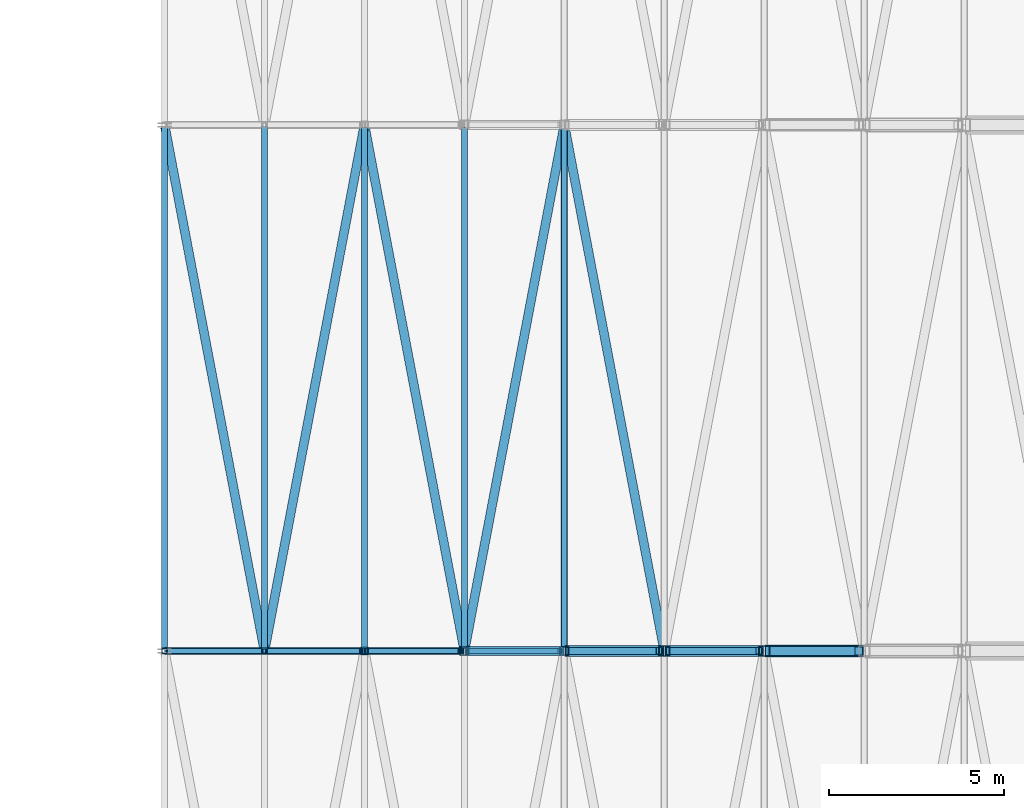
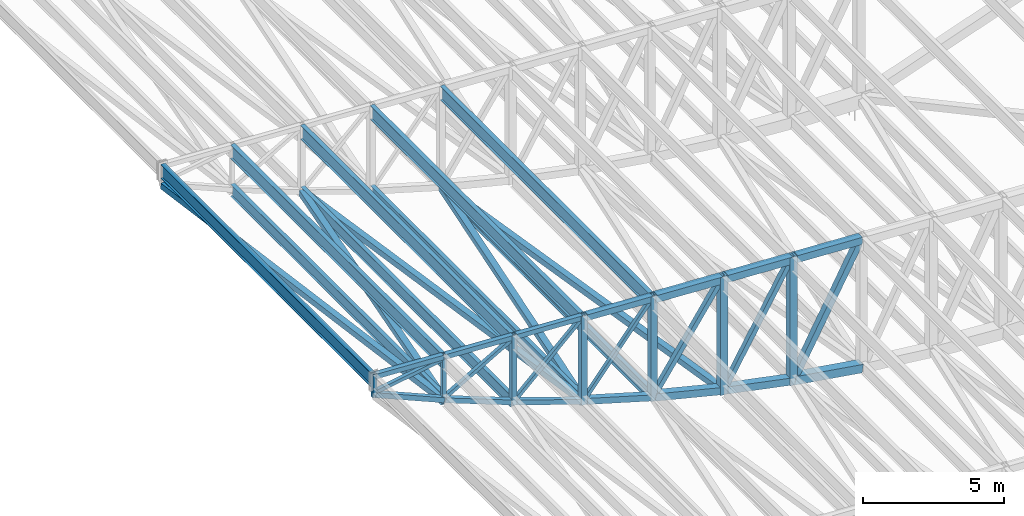
# One storey, part 55 of 278: 21 beams, 21 members.
"""IFC4 building model written with IfcOpenShell, lengths in metres."""

from ifc_helpers import new_model, si_unit, direction, frame, origin, origin_2d, place, context, subcontext, project, spatial, hollow_rectangle, i_section, extrude, material, material_profile, profile_set, type_object, element, save


model = new_model("IFC4")

# Units and contexts
model_context = context("Model", 3, precision=1e-05, world=origin(), true_north=direction((0.0, 1.0)))
body_context = subcontext(model_context, "Body", "Model", "MODEL_VIEW")
ifc_project = project(units=[si_unit("LENGTHUNIT", "METRE"), si_unit("AREAUNIT", "SQUARE_METRE"), si_unit("VOLUMEUNIT", "CUBIC_METRE"), si_unit("PLANEANGLEUNIT", "RADIAN"), si_unit("MASSUNIT", "GRAM", prefix="KILO")], contexts=[model_context])

# Site, building, storey
site_placement = place(None, origin())
site = spatial("IfcSite", under=ifc_project, at=site_placement, CompositionType="ELEMENT")
building_placement = place(site_placement, origin())
building = spatial("IfcBuilding", under=site, at=building_placement, Name="Ogive Plaza Stadium", CompositionType="ELEMENT")
storey_placement = place(building_placement, frame((0.0, 0.0, 29.0)))
storey = spatial("IfcBuildingStorey", under=building, at=storey_placement, Name="Roof", CompositionType="ELEMENT", Elevation=29.0)

# Members
ifc_material_1 = material(Name="Steel ASTM A500 Grade C", Category="steel")
ifc_material_profile_1 = material_profile(ifc_material_1, hollow_rectangle(XDim=0.25390625, YDim=0.25390625, WallThickness=0.0087890625, at=origin_2d()), Name="HSS10X10X3/8")
ifc_profile_set_1 = profile_set([ifc_material_profile_1], Name="Steel ASTM A500 Grade C")
member_type_1 = type_object("IfcMemberType", Name="Roof plan brace HSS10X10X3/8", PredefinedType="BRACE", material=ifc_profile_set_1)
member_1_placement = place(storey_placement, frame((45.513427734375, -7.5703125, 6.520751953125), z_axis=(0.1860644689, -0.979300227871, -0.079693645318), x_axis=(0.982424925297, 0.186658153196, 0.0)))
element("IfcMember", 1, at=member_1_placement, inside=storey, type_object=member_type_1, Name="ROOF BRACE B05 1", PredefinedType="BRACE", context=body_context, shape_type="SweptSolid", body=[
    extrude(hollow_rectangle(XDim=0.25390625, YDim=0.25390625, WallThickness=0.0087890625, at=origin_2d()), origin(), (0.0, 0.0, 1.0), 15.173583984375),
])
member_2_placement = place(storey_placement, frame((48.36328125, -22.4296875, 5.30078125), z_axis=(0.18619699352, 0.979917118172, -0.071366106221), x_axis=(-0.982422109195, 0.186672974385, 0.0)))
element("IfcMember", 2, at=member_2_placement, inside=storey, type_object=member_type_1, Name="ROOF BRACE B05 2", PredefinedType="BRACE", context=body_context, shape_type="SweptSolid", body=[
    extrude(hollow_rectangle(XDim=0.25390625, YDim=0.25390625, WallThickness=0.0087890625, at=origin_2d()), origin(), (0.0, 0.0, 1.0), 15.1376953125),
])
member_3_placement = place(storey_placement, frame((51.21826171875, -7.595947265625, 4.20751953125), z_axis=(0.186305134019, -0.980575459807, -0.061336487198), x_axis=(0.982425223956, 0.186656581279, 0.0)))
element("IfcMember", 3, at=member_3_placement, inside=storey, type_object=member_type_1, Name="ROOF BRACE B05 3", PredefinedType="BRACE", context=body_context, shape_type="SweptSolid", body=[
    extrude(hollow_rectangle(XDim=0.25390625, YDim=0.25390625, WallThickness=0.0087890625, at=origin_2d()), origin(), (0.0, 0.0, 1.0), 15.1015625),
])
member_4_placement = place(storey_placement, frame((54.068115234375, -22.404052734375, 3.27001953125), z_axis=(0.186406461707, 0.981044003163, -0.052965034622), x_axis=(-0.982422964001, 0.186668475654, 0.0)))
element("IfcMember", 4, at=member_4_placement, inside=storey, type_object=member_type_1, Name="ROOF BRACE B05 4", PredefinedType="BRACE", context=body_context, shape_type="SweptSolid", body=[
    extrude(hollow_rectangle(XDim=0.25390625, YDim=0.25390625, WallThickness=0.0087890625, at=origin_2d()), origin(), (0.0, 0.0, 1.0), 15.068359375),
])
member_5_placement = place(storey_placement, frame((56.923095703125, -7.621337890625, 2.459716796875), z_axis=(0.186461324063, -0.981373677857, -0.046237204039), x_axis=(0.982424391989, 0.186660960097, 0.0)))
element("IfcMember", 5, at=member_5_placement, inside=storey, type_object=member_type_1, Name="ROOF BRACE B05 5", PredefinedType="BRACE", context=body_context, shape_type="SweptSolid", body=[
    extrude(hollow_rectangle(XDim=0.25390625, YDim=0.25390625, WallThickness=0.0087890625, at=origin_2d()), origin(), (0.0, 0.0, 1.0), 15.011474609375),
])
ifc_material_2 = material(Name="Steel ASTM A992 Grade 50", Category="steel")
ifc_material_profile_2 = material_profile(ifc_material_2, i_section(OverallWidth=0.1650390625, OverallDepth=0.524658203125, WebThickness=0.0087890625, FlangeThickness=0.011474609375, at=origin_2d()), Name="W21X44")
ifc_profile_set_2 = profile_set([ifc_material_profile_2], Name="Steel ASTM A992 Grade 50")
member_type_2 = type_object("IfcMemberType", Name="Roof plan strut W21X44", PredefinedType="STRUT", material=ifc_profile_set_2)
member_6_placement = place(storey_placement, frame((48.35009765625, -7.546142578125, 5.305908203125), z_axis=(0.0, -1.0, 0.0), x_axis=(1.0, 0.0, 0.0)))
element("IfcMember", 6, at=member_6_placement, inside=storey, type_object=member_type_2, Name="ROOF STRUT B05 1", PredefinedType="STRUT", context=body_context, shape_type="SweptSolid", body=[
    extrude(i_section(OverallWidth=0.1650390625, OverallDepth=0.524658203125, WebThickness=0.0087890625, FlangeThickness=0.011474609375, at=origin_2d()), origin(), (0.0, 0.0, 1.0), 14.90771484375),
])
for number, where, z_axis, x_axis, name in (
    (7, (51.199951171875, -7.571533203125, 4.213623046875), (0.0, -1.0, 0.0), (1.0, 0.0, 0.0), "ROOF STRUT B05 2"),
    (8, (54.050048828125, -7.571533203125, 3.275146484375), (0.0, -1.0, 0.0), (1.0, 0.0, 0.0), "ROOF STRUT B05 3"),
):
    element("IfcMember", number, at=place(storey_placement, frame(where, z_axis=z_axis, x_axis=x_axis)), inside=storey, type_object=member_type_2, Name=name, PredefinedType="STRUT", context=body_context, shape_type="SweptSolid", body=[
        extrude(i_section(OverallWidth=0.1650390625, OverallDepth=0.524658203125, WebThickness=0.0087890625, FlangeThickness=0.011474609375, at=origin_2d()), origin(), (0.0, 0.0, 1.0), 14.85693359375),
    ])
member_7_placement = place(storey_placement, frame((56.89990234375, -7.596923828125, 2.46533203125), z_axis=(0.0, -1.0, 0.0), x_axis=(1.0, 0.0, 0.0)))
element("IfcMember", 9, at=member_7_placement, inside=storey, type_object=member_type_2, Name="ROOF STRUT B05 4", PredefinedType="STRUT", context=body_context, shape_type="SweptSolid", body=[
    extrude(i_section(OverallWidth=0.1650390625, OverallDepth=0.524658203125, WebThickness=0.0087890625, FlangeThickness=0.011474609375, at=origin_2d()), origin(), (0.0, 0.0, 1.0), 14.80615234375),
])
ifc_material_3 = material(Name="Steel ASTM A992 Grade 50", Category="steel")
ifc_material_profile_3 = material_profile(ifc_material_3, i_section(OverallWidth=0.177978515625, OverallDepth=0.5986328125, WebThickness=0.010009765625, FlangeThickness=0.012939453125, at=origin_2d()), Name="W24X55")
ifc_profile_set_3 = profile_set([ifc_material_profile_3], Name="Steel ASTM A992 Grade 50")
member_type_3 = type_object("IfcMemberType", Name="Roof purlin W24X55", PredefinedType="PURLIN", material=ifc_profile_set_3)
member_8_placement = place(storey_placement, frame((48.35009765625, -7.546142578125, 6.983154296875), z_axis=(0.0, -1.0, 0.0), x_axis=(1.0, 0.0, 0.0)))
element("IfcMember", 10, at=member_8_placement, inside=storey, type_object=member_type_3, Name="ROOF PURLIN B05 1", PredefinedType="PURLIN", context=body_context, shape_type="SweptSolid", body=[
    extrude(i_section(OverallWidth=0.177978515625, OverallDepth=0.5986328125, WebThickness=0.010009765625, FlangeThickness=0.012939453125, at=origin_2d()), origin(), (0.0, 0.0, 1.0), 14.90771484375),
])
for number, where, z_axis, x_axis, name in (
    (11, (51.199951171875, -7.571533203125, 6.840576171875), (0.0, -1.0, 0.0), (1.0, 0.0, 0.0), "ROOF PURLIN B05 2"),
    (12, (54.050048828125, -7.571533203125, 6.6982421875), (0.0, -1.0, 0.0), (1.0, 0.0, 0.0), "ROOF PURLIN B05 3"),
):
    element("IfcMember", number, at=place(storey_placement, frame(where, z_axis=z_axis, x_axis=x_axis)), inside=storey, type_object=member_type_3, Name=name, PredefinedType="PURLIN", context=body_context, shape_type="SweptSolid", body=[
        extrude(i_section(OverallWidth=0.177978515625, OverallDepth=0.5986328125, WebThickness=0.010009765625, FlangeThickness=0.012939453125, at=origin_2d()), origin(), (0.0, 0.0, 1.0), 14.85693359375),
    ])
member_9_placement = place(storey_placement, frame((56.89990234375, -7.596923828125, 6.5556640625), z_axis=(0.0, -1.0, 0.0), x_axis=(1.0, 0.0, 0.0)))
element("IfcMember", 13, at=member_9_placement, inside=storey, type_object=member_type_3, Name="ROOF PURLIN B05 4", PredefinedType="PURLIN", context=body_context, shape_type="SweptSolid", body=[
    extrude(i_section(OverallWidth=0.177978515625, OverallDepth=0.5986328125, WebThickness=0.010009765625, FlangeThickness=0.012939453125, at=origin_2d()), origin(), (0.0, 0.0, 1.0), 14.80615234375),
])
ifc_material_4 = material(Name="Steel ASTM A992 Grade 50", Category="steel")
ifc_material_profile_4 = material_profile(ifc_material_4, i_section(OverallWidth=0.177978515625, OverallDepth=0.5986328125, WebThickness=0.010009765625, FlangeThickness=0.012939453125, at=origin_2d()), Name="W24X55")
ifc_profile_set_4 = profile_set([ifc_material_profile_4], Name="Steel ASTM A992 Grade 50")
member_type_4 = type_object("IfcMemberType", Name="Roof tip ring beam W24X55", PredefinedType="MEMBER", material=ifc_profile_set_4)
member_10_placement = place(storey_placement, frame((45.5, -7.546142578125, 7.125732421875), z_axis=(0.0, -1.0, 0.0), x_axis=(1.0, 0.0, 0.0)))
element("IfcMember", 14, at=member_10_placement, inside=storey, type_object=member_type_4, Name="RING BEAM B05", PredefinedType="MEMBER", context=body_context, shape_type="SweptSolid", body=[
    extrude(i_section(OverallWidth=0.177978515625, OverallDepth=0.5986328125, WebThickness=0.010009765625, FlangeThickness=0.012939453125, at=origin_2d()), origin(), (0.0, 0.0, 1.0), 14.90771484375),
])

# Beams
ifc_material_5 = material(Name="Steel ASTM A500 Grade C", Category="steel")
ifc_material_profile_5 = material_profile(ifc_material_5, hollow_rectangle(XDim=0.25390625, YDim=0.25390625, WallThickness=0.01171875, at=origin_2d()), Name="HSS10X10X1/2")
ifc_profile_set_5 = profile_set([ifc_material_profile_5], Name="Steel ASTM A500 Grade C")
beam_type_1 = type_object("IfcBeamType", Name="Roof truss bottom chord HSS10X10X1/2", PredefinedType="BEAM", material=ifc_profile_set_5)
beam_1_placement = place(storey_placement, frame((54.10009765625, -22.5, 3.265869140625), z_axis=(0.959640437259, 0.0, -0.281229854705), x_axis=(0.0, 1.0, 0.0)))
element("IfcBeam", 15, at=beam_1_placement, inside=storey, type_object=beam_type_1, Name="ROOF TRUSS T06 BOTTOM CHORD 4", PredefinedType="BEAM", context=body_context, shape_type="SweptSolid", body=[
    extrude(hollow_rectangle(XDim=0.25390625, YDim=0.25390625, WallThickness=0.01171875, at=origin_2d()), origin(), (0.0, 0.0, 1.0), 2.86572265625),
])
ifc_material_6 = material(Name="Steel ASTM A500 Grade C", Category="steel")
ifc_material_profile_6 = material_profile(ifc_material_6, hollow_rectangle(XDim=0.3046875, YDim=0.3046875, WallThickness=0.0146484375, at=origin_2d()), Name="HSS12X12X5/8")
ifc_profile_set_6 = profile_set([ifc_material_profile_6], Name="Steel ASTM A500 Grade C")
beam_type_2 = type_object("IfcBeamType", Name="Roof truss bottom chord HSS12X12X5/8", PredefinedType="BEAM", material=ifc_profile_set_6)
beam_2_placement = place(storey_placement, frame((56.949951171875, -22.5, 2.45751953125), z_axis=(0.970607032995, 0.0, -0.240669872439), x_axis=(0.0, 1.0, 0.0)))
element("IfcBeam", 16, at=beam_2_placement, inside=storey, type_object=beam_type_2, Name="ROOF TRUSS T06 BOTTOM CHORD 5", PredefinedType="BEAM", context=body_context, shape_type="SweptSolid", body=[
    extrude(hollow_rectangle(XDim=0.3046875, YDim=0.3046875, WallThickness=0.0146484375, at=origin_2d()), origin(), (0.0, 0.0, 1.0), 2.833251953125),
])
beam_3_placement = place(storey_placement, frame((59.800048828125, -22.5, 1.751708984375), z_axis=(0.980021250437, 0.0, -0.19889280704), x_axis=(0.0, 1.0, 0.0)))
element("IfcBeam", 17, at=beam_3_placement, inside=storey, type_object=beam_type_2, Name="ROOF TRUSS T06 BOTTOM CHORD 6", PredefinedType="BEAM", context=body_context, shape_type="SweptSolid", body=[
    extrude(hollow_rectangle(XDim=0.3046875, YDim=0.3046875, WallThickness=0.0146484375, at=origin_2d()), origin(), (0.0, 0.0, 1.0), 2.80615234375),
])
ifc_material_7 = material(Name="Steel ASTM A500 Grade C", Category="steel")
ifc_material_profile_7 = material_profile(ifc_material_7, hollow_rectangle(XDim=0.355712890625, YDim=0.355712890625, WallThickness=0.0146484375, at=origin_2d()), Name="HSS14X14X5/8")
ifc_profile_set_7 = profile_set([ifc_material_profile_7], Name="Steel ASTM A500 Grade C")
beam_type_3 = type_object("IfcBeamType", Name="Roof truss bottom chord HSS14X14X5/8", PredefinedType="BEAM", material=ifc_profile_set_7)
beam_4_placement = place(storey_placement, frame((62.64990234375, -22.5, 1.2001953125), z_axis=(0.987770074518, 0.0, -0.155917541947), x_axis=(0.0, 1.0, 0.0)))
element("IfcBeam", 18, at=beam_4_placement, inside=storey, type_object=beam_type_3, Name="ROOF TRUSS T06 BOTTOM CHORD 7", PredefinedType="BEAM", context=body_context, shape_type="SweptSolid", body=[
    extrude(hollow_rectangle(XDim=0.355712890625, YDim=0.355712890625, WallThickness=0.0146484375, at=origin_2d()), origin(), (0.0, 0.0, 1.0), 2.783935546875),
])
ifc_material_8 = material(Name="Steel ASTM A500 Grade C", Category="steel")
ifc_material_profile_8 = material_profile(ifc_material_8, hollow_rectangle(XDim=0.203125, YDim=0.203125, WallThickness=0.01171875, at=origin_2d()), Name="HSS8X8X1/2")
ifc_profile_set_8 = profile_set([ifc_material_profile_8], Name="Steel ASTM A500 Grade C")
beam_type_4 = type_object("IfcBeamType", Name="Roof truss bottom chord HSS8X8X1/2", PredefinedType="BEAM", material=ifc_profile_set_8)
beam_5_placement = place(storey_placement, frame((45.5400390625, -22.5, 6.518310546875), z_axis=(0.919215459426, 0.0, -0.393754922702), x_axis=(0.0, 1.0, 0.0)))
element("IfcBeam", 19, at=beam_5_placement, inside=storey, type_object=beam_type_4, Name="ROOF TRUSS T06 BOTTOM CHORD 1", PredefinedType="BEAM", context=body_context, shape_type="SweptSolid", body=[
    extrude(hollow_rectangle(XDim=0.203125, YDim=0.203125, WallThickness=0.01171875, at=origin_2d()), origin(), (0.0, 0.0, 1.0), 3.04736328125),
])
beam_6_placement = place(storey_placement, frame((48.386474609375, -22.5, 5.299072265625), z_axis=(0.933780874892, 0.0, -0.357845326484), x_axis=(0.0, 1.0, 0.0)))
element("IfcBeam", 20, at=beam_6_placement, inside=storey, type_object=beam_type_4, Name="ROOF TRUSS T06 BOTTOM CHORD 2", PredefinedType="BEAM", context=body_context, shape_type="SweptSolid", body=[
    extrude(hollow_rectangle(XDim=0.203125, YDim=0.203125, WallThickness=0.01171875, at=origin_2d()), origin(), (0.0, 0.0, 1.0), 2.97314453125),
])
beam_7_placement = place(storey_placement, frame((51.24072265625, -22.5, 4.20556640625), z_axis=(0.947299736415, 0.0, -0.320348574817), x_axis=(0.0, 1.0, 0.0)))
element("IfcBeam", 21, at=beam_7_placement, inside=storey, type_object=beam_type_4, Name="ROOF TRUSS T06 BOTTOM CHORD 3", PredefinedType="BEAM", context=body_context, shape_type="SweptSolid", body=[
    extrude(hollow_rectangle(XDim=0.203125, YDim=0.203125, WallThickness=0.01171875, at=origin_2d()), origin(), (0.0, 0.0, 1.0), 2.912841796875),
])

# Members
ifc_material_9 = material(Name="Steel ASTM A500 Grade C", Category="steel")
ifc_material_profile_9 = material_profile(ifc_material_9, hollow_rectangle(XDim=0.25390625, YDim=0.25390625, WallThickness=0.0087890625, at=origin_2d()), Name="HSS10X10X3/8")
ifc_profile_set_9 = profile_set([ifc_material_profile_9], Name="Steel ASTM A500 Grade C")
member_type_5 = type_object("IfcMemberType", Name="Roof truss diagonal HSS10X10X3/8", PredefinedType="BRACE", material=ifc_profile_set_9)
member_11_placement = place(storey_placement, frame((62.75244140625, -22.5, 1.383544921875), z_axis=(0.473127942579, 0.0, 0.880993728667), x_axis=(0.0, 1.0, 0.0)))
element("IfcMember", 22, at=member_11_placement, inside=storey, type_object=member_type_5, Name="ROOF TRUSS T06 DIAGONAL 7", PredefinedType="BRACE", context=body_context, shape_type="SweptSolid", body=[
    extrude(hollow_rectangle(XDim=0.25390625, YDim=0.25390625, WallThickness=0.0087890625, at=origin_2d()), origin(), (0.0, 0.0, 1.0), 5.37939453125),
])
ifc_material_10 = material(Name="Steel ASTM A500 Grade C", Category="steel")
ifc_material_profile_10 = material_profile(ifc_material_10, hollow_rectangle(XDim=0.15234375, YDim=0.15234375, WallThickness=0.005859375, at=origin_2d()), Name="HSS6X6X1/4")
ifc_profile_set_10 = profile_set([ifc_material_profile_10], Name="Steel ASTM A500 Grade C")
member_type_6 = type_object("IfcMemberType", Name="Roof truss diagonal HSS6X6X1/4", PredefinedType="BRACE", material=ifc_profile_set_10)
member_12_placement = place(storey_placement, frame((45.576171875, -22.5, 6.628173828125), z_axis=(0.986299671123, 0.0, 0.164963507307), x_axis=(0.0, 1.0, 0.0)))
element("IfcMember", 23, at=member_12_placement, inside=storey, type_object=member_type_6, Name="ROOF TRUSS T06 DIAGONAL 1", PredefinedType="BRACE", context=body_context, shape_type="SweptSolid", body=[
    extrude(hollow_rectangle(XDim=0.15234375, YDim=0.15234375, WallThickness=0.005859375, at=origin_2d()), origin(), (0.0, 0.0, 1.0), 2.73486328125),
])
member_13_placement = place(storey_placement, frame((48.42626953125, -22.5, 5.407470703125), z_axis=(0.8679111184, 0.0, 0.496719529069), x_axis=(0.0, 1.0, 0.0)))
element("IfcMember", 24, at=member_13_placement, inside=storey, type_object=member_type_6, Name="ROOF TRUSS T06 DIAGONAL 2", PredefinedType="BRACE", context=body_context, shape_type="SweptSolid", body=[
    extrude(hollow_rectangle(XDim=0.15234375, YDim=0.15234375, WallThickness=0.005859375, at=origin_2d()), origin(), (0.0, 0.0, 1.0), 3.078857421875),
])
ifc_material_11 = material(Name="Steel ASTM A500 Grade C", Category="steel")
ifc_material_profile_11 = material_profile(ifc_material_11, hollow_rectangle(XDim=0.15234375, YDim=0.15234375, WallThickness=0.0087890625, at=origin_2d()), Name="HSS6X6X3/8")
ifc_profile_set_11 = profile_set([ifc_material_profile_11], Name="Steel ASTM A500 Grade C")
member_type_7 = type_object("IfcMemberType", Name="Roof truss diagonal HSS6X6X3/8", PredefinedType="BRACE", material=ifc_profile_set_11)
member_14_placement = place(storey_placement, frame((51.301513671875, -22.5, 4.315185546875), z_axis=(0.726588919749, 0.0, 0.687072442832), x_axis=(0.0, 1.0, 0.0)))
element("IfcMember", 25, at=member_14_placement, inside=storey, type_object=member_type_7, Name="ROOF TRUSS T06 DIAGONAL 3", PredefinedType="BRACE", context=body_context, shape_type="SweptSolid", body=[
    extrude(hollow_rectangle(XDim=0.15234375, YDim=0.15234375, WallThickness=0.0087890625, at=origin_2d()), origin(), (0.0, 0.0, 1.0), 3.608154296875),
])
member_15_placement = place(storey_placement, frame((54.177001953125, -22.5, 3.40234375), z_axis=(0.630150764463, 0.0, 0.77647280316), x_axis=(0.0, 1.0, 0.0)))
element("IfcMember", 26, at=member_15_placement, inside=storey, type_object=member_type_7, Name="ROOF TRUSS T06 DIAGONAL 4", PredefinedType="BRACE", context=body_context, shape_type="SweptSolid", body=[
    extrude(hollow_rectangle(XDim=0.15234375, YDim=0.15234375, WallThickness=0.0087890625, at=origin_2d()), origin(), (0.0, 0.0, 1.0), 4.11962890625),
])
ifc_material_12 = material(Name="Steel ASTM A500 Grade C", Category="steel")
ifc_material_profile_12 = material_profile(ifc_material_12, hollow_rectangle(XDim=0.203125, YDim=0.203125, WallThickness=0.0087890625, at=origin_2d()), Name="HSS8X8X3/8")
ifc_profile_set_12 = profile_set([ifc_material_profile_12], Name="Steel ASTM A500 Grade C")
member_type_8 = type_object("IfcMemberType", Name="Roof truss diagonal HSS8X8X3/8", PredefinedType="BRACE", material=ifc_profile_set_12)
member_16_placement = place(storey_placement, frame((57.027099609375, -22.5, 2.617919921875), z_axis=(0.561338440243, 0.0, 0.827586343233), x_axis=(0.0, 1.0, 0.0)))
element("IfcMember", 27, at=member_16_placement, inside=storey, type_object=member_type_8, Name="ROOF TRUSS T06 DIAGONAL 5", PredefinedType="BRACE", context=body_context, shape_type="SweptSolid", body=[
    extrude(hollow_rectangle(XDim=0.203125, YDim=0.203125, WallThickness=0.0087890625, at=origin_2d()), origin(), (0.0, 0.0, 1.0), 4.579345703125),
])
member_17_placement = place(storey_placement, frame((59.90234375, -22.5, 1.9111328125), z_axis=(0.504659398762, 0.0, 0.863318534054), x_axis=(0.0, 1.0, 0.0)))
element("IfcMember", 28, at=member_17_placement, inside=storey, type_object=member_type_8, Name="ROOF TRUSS T06 DIAGONAL 6", PredefinedType="BRACE", context=body_context, shape_type="SweptSolid", body=[
    extrude(hollow_rectangle(XDim=0.203125, YDim=0.203125, WallThickness=0.0087890625, at=origin_2d()), origin(), (0.0, 0.0, 1.0), 5.043212890625),
])

# Beams
ifc_material_13 = material(Name="Steel ASTM A500 Grade C", Category="steel")
ifc_material_profile_13 = material_profile(ifc_material_13, hollow_rectangle(XDim=0.25390625, YDim=0.25390625, WallThickness=0.01171875, at=origin_2d()), Name="HSS10X10X1/2")
ifc_profile_set_13 = profile_set([ifc_material_profile_13], Name="Steel ASTM A500 Grade C")
beam_type_5 = type_object("IfcBeamType", Name="Roof truss post HSS10X10X1/2", PredefinedType="BEAM", material=ifc_profile_set_13)
beam_8_placement = place(storey_placement, frame((54.050048828125, -22.5, 3.148193359375), z_axis=(0.0, 0.0, 1.0), x_axis=(0.0, 1.0, 0.0)))
element("IfcBeam", 29, at=beam_8_placement, inside=storey, type_object=beam_type_5, Name="ROOF TRUSS T06 POST 4", PredefinedType="BEAM", context=body_context, shape_type="SweptSolid", body=[
    extrude(hollow_rectangle(XDim=0.25390625, YDim=0.25390625, WallThickness=0.01171875, at=origin_2d()), origin(), (0.0, 0.0, 1.0), 3.849365234375),
])
beam_9_placement = place(storey_placement, frame((56.89990234375, -22.5, 2.31298828125), z_axis=(0.0, 0.0, 1.0), x_axis=(0.0, 1.0, 0.0)))
element("IfcBeam", 30, at=beam_9_placement, inside=storey, type_object=beam_type_5, Name="ROOF TRUSS T06 POST 5", PredefinedType="BEAM", context=body_context, shape_type="SweptSolid", body=[
    extrude(hollow_rectangle(XDim=0.25390625, YDim=0.25390625, WallThickness=0.01171875, at=origin_2d()), origin(), (0.0, 0.0, 1.0), 4.5419921875),
])
ifc_material_14 = material(Name="Steel ASTM A500 Grade C", Category="steel")
ifc_material_profile_14 = material_profile(ifc_material_14, hollow_rectangle(XDim=0.3046875, YDim=0.3046875, WallThickness=0.01171875, at=origin_2d()), Name="HSS12X12X1/2")
ifc_profile_set_14 = profile_set([ifc_material_profile_14], Name="Steel ASTM A500 Grade C")
beam_type_6 = type_object("IfcBeamType", Name="Roof truss post HSS12X12X1/2", PredefinedType="BEAM", material=ifc_profile_set_14)
beam_10_placement = place(storey_placement, frame((59.75, -22.5, 1.606201171875), z_axis=(0.0, 0.0, 1.0), x_axis=(0.0, 1.0, 0.0)))
element("IfcBeam", 31, at=beam_10_placement, inside=storey, type_object=beam_type_6, Name="ROOF TRUSS T06 POST 6", PredefinedType="BEAM", context=body_context, shape_type="SweptSolid", body=[
    extrude(hollow_rectangle(XDim=0.3046875, YDim=0.3046875, WallThickness=0.01171875, at=origin_2d()), origin(), (0.0, 0.0, 1.0), 5.106201171875),
])
ifc_material_15 = material(Name="Steel ASTM A500 Grade C", Category="steel")
ifc_material_profile_15 = material_profile(ifc_material_15, hollow_rectangle(XDim=0.3046875, YDim=0.3046875, WallThickness=0.0146484375, at=origin_2d()), Name="HSS12X12X5/8")
ifc_profile_set_15 = profile_set([ifc_material_profile_15], Name="Steel ASTM A500 Grade C")
beam_type_7 = type_object("IfcBeamType", Name="Roof truss post HSS12X12X5/8", PredefinedType="BEAM", material=ifc_profile_set_15)
beam_11_placement = place(storey_placement, frame((62.60009765625, -22.5, 1.028076171875), z_axis=(0.0, 0.0, 1.0), x_axis=(0.0, 1.0, 0.0)))
element("IfcBeam", 32, at=beam_11_placement, inside=storey, type_object=beam_type_7, Name="ROOF TRUSS T06 POST 7", PredefinedType="BEAM", context=body_context, shape_type="SweptSolid", body=[
    extrude(hollow_rectangle(XDim=0.3046875, YDim=0.3046875, WallThickness=0.0146484375, at=origin_2d()), origin(), (0.0, 0.0, 1.0), 5.5419921875),
])
ifc_material_16 = material(Name="Steel ASTM A500 Grade C", Category="steel")
ifc_material_profile_16 = material_profile(ifc_material_16, hollow_rectangle(XDim=0.15234375, YDim=0.15234375, WallThickness=0.0087890625, at=origin_2d()), Name="HSS6X6X3/8")
ifc_profile_set_16 = profile_set([ifc_material_profile_16], Name="Steel ASTM A500 Grade C")
beam_type_8 = type_object("IfcBeamType", Name="Roof truss post HSS6X6X3/8", PredefinedType="BEAM", material=ifc_profile_set_16)
beam_12_placement = place(storey_placement, frame((45.5, -22.5, 6.425048828125), z_axis=(0.0, 0.0, 1.0), x_axis=(0.0, 1.0, 0.0)))
element("IfcBeam", 33, at=beam_12_placement, inside=storey, type_object=beam_type_8, Name="ROOF TRUSS T06 POST 1", PredefinedType="BEAM", context=body_context, shape_type="SweptSolid", body=[
    extrude(hollow_rectangle(XDim=0.15234375, YDim=0.15234375, WallThickness=0.0087890625, at=origin_2d()), origin(), (0.0, 0.0, 1.0), 1.0),
])
beam_13_placement = place(storey_placement, frame((48.35009765625, -22.5, 5.204345703125), z_axis=(0.0, 0.0, 1.0), x_axis=(0.0, 1.0, 0.0)))
element("IfcBeam", 34, at=beam_13_placement, inside=storey, type_object=beam_type_8, Name="ROOF TRUSS T06 POST 2", PredefinedType="BEAM", context=body_context, shape_type="SweptSolid", body=[
    extrude(hollow_rectangle(XDim=0.15234375, YDim=0.15234375, WallThickness=0.0087890625, at=origin_2d()), origin(), (0.0, 0.0, 1.0), 2.078125),
])
ifc_material_17 = material(Name="Steel ASTM A500 Grade C", Category="steel")
ifc_material_profile_17 = material_profile(ifc_material_17, hollow_rectangle(XDim=0.203125, YDim=0.203125, WallThickness=0.0087890625, at=origin_2d()), Name="HSS8X8X3/8")
ifc_profile_set_17 = profile_set([ifc_material_profile_17], Name="Steel ASTM A500 Grade C")
beam_type_9 = type_object("IfcBeamType", Name="Roof truss post HSS8X8X3/8", PredefinedType="BEAM", material=ifc_profile_set_17)
beam_14_placement = place(storey_placement, frame((51.199951171875, -22.5, 4.112060546875), z_axis=(0.0, 0.0, 1.0), x_axis=(0.0, 1.0, 0.0)))
element("IfcBeam", 35, at=beam_14_placement, inside=storey, type_object=beam_type_9, Name="ROOF TRUSS T06 POST 3", PredefinedType="BEAM", context=body_context, shape_type="SweptSolid", body=[
    extrude(hollow_rectangle(XDim=0.203125, YDim=0.203125, WallThickness=0.0087890625, at=origin_2d()), origin(), (0.0, 0.0, 1.0), 3.02783203125),
])
ifc_material_18 = material(Name="Steel ASTM A500 Grade C", Category="steel")
ifc_material_profile_18 = material_profile(ifc_material_18, hollow_rectangle(XDim=0.25390625, YDim=0.25390625, WallThickness=0.0087890625, at=origin_2d()), Name="HSS10X10X3/8")
ifc_profile_set_18 = profile_set([ifc_material_profile_18], Name="Steel ASTM A500 Grade C")
beam_type_10 = type_object("IfcBeamType", Name="Roof truss top chord HSS10X10X3/8", PredefinedType="BEAM", material=ifc_profile_set_18)
beam_15_placement = place(storey_placement, frame((54.10009765625, -22.5, 6.867919921875), z_axis=(0.998748798523, 0.0, -0.05000837379), x_axis=(0.0, 1.0, 0.0)))
element("IfcBeam", 36, at=beam_15_placement, inside=storey, type_object=beam_type_10, Name="ROOF TRUSS T06 TOP CHORD 4", PredefinedType="BEAM", context=body_context, shape_type="SweptSolid", body=[
    extrude(hollow_rectangle(XDim=0.25390625, YDim=0.25390625, WallThickness=0.0087890625, at=origin_2d()), origin(), (0.0, 0.0, 1.0), 2.75341796875),
])
ifc_material_19 = material(Name="Steel ASTM A500 Grade C", Category="steel")
ifc_material_profile_19 = material_profile(ifc_material_19, hollow_rectangle(XDim=0.3046875, YDim=0.3046875, WallThickness=0.01171875, at=origin_2d()), Name="HSS12X12X1/2")
ifc_profile_set_19 = profile_set([ifc_material_profile_19], Name="Steel ASTM A500 Grade C")
beam_type_11 = type_object("IfcBeamType", Name="Roof truss top chord HSS12X12X1/2", PredefinedType="BEAM", material=ifc_profile_set_19)
beam_16_placement = place(storey_placement, frame((62.64990234375, -22.5, 6.414794921875), z_axis=(0.998753223187, 0.0, -0.049919927615), x_axis=(0.0, 1.0, 0.0)))
element("IfcBeam", 37, at=beam_16_placement, inside=storey, type_object=beam_type_11, Name="ROOF TRUSS T06 TOP CHORD 7", PredefinedType="BEAM", context=body_context, shape_type="SweptSolid", body=[
    extrude(hollow_rectangle(XDim=0.3046875, YDim=0.3046875, WallThickness=0.01171875, at=origin_2d()), origin(), (0.0, 0.0, 1.0), 2.75341796875),
])
ifc_material_20 = material(Name="Steel ASTM A500 Grade C", Category="steel")
ifc_material_profile_20 = material_profile(ifc_material_20, hollow_rectangle(XDim=0.3046875, YDim=0.3046875, WallThickness=0.0087890625, at=origin_2d()), Name="HSS12X12X3/8")
ifc_profile_set_20 = profile_set([ifc_material_profile_20], Name="Steel ASTM A500 Grade C")
beam_type_12 = type_object("IfcBeamType", Name="Roof truss top chord HSS12X12X3/8", PredefinedType="BEAM", material=ifc_profile_set_20)
for number, where, z_axis, x_axis, name in (
    (38, (56.949951171875, -22.5, 6.699951171875), (0.998753223187, 0.0, -0.049919927615), (0.0, 1.0, 0.0), "ROOF TRUSS T06 TOP CHORD 5"),
    (39, (59.800048828125, -22.5, 6.557373046875), (0.998753223187, 0.0, -0.049919927615), (0.0, 1.0, 0.0), "ROOF TRUSS T06 TOP CHORD 6"),
):
    element("IfcBeam", number, at=place(storey_placement, frame(where, z_axis=z_axis, x_axis=x_axis)), inside=storey, type_object=beam_type_12, Name=name, PredefinedType="BEAM", context=body_context, shape_type="SweptSolid", body=[
        extrude(hollow_rectangle(XDim=0.3046875, YDim=0.3046875, WallThickness=0.0087890625, at=origin_2d()), origin(), (0.0, 0.0, 1.0), 2.75341796875),
    ])
ifc_material_21 = material(Name="Steel ASTM A500 Grade C", Category="steel")
ifc_material_profile_21 = material_profile(ifc_material_21, hollow_rectangle(XDim=0.203125, YDim=0.203125, WallThickness=0.0087890625, at=origin_2d()), Name="HSS8X8X3/8")
ifc_profile_set_21 = profile_set([ifc_material_profile_21], Name="Steel ASTM A500 Grade C")
beam_type_13 = type_object("IfcBeamType", Name="Roof truss top chord HSS8X8X3/8", PredefinedType="BEAM", material=ifc_profile_set_21)
beam_17_placement = place(storey_placement, frame((45.541259765625, -22.5, 7.3212890625), z_axis=(0.998751459876, 0.0, -0.049955193873), x_axis=(0.0, 1.0, 0.0)))
element("IfcBeam", 40, at=beam_17_placement, inside=storey, type_object=beam_type_13, Name="ROOF TRUSS T06 TOP CHORD 1", PredefinedType="BEAM", context=body_context, shape_type="SweptSolid", body=[
    extrude(hollow_rectangle(XDim=0.203125, YDim=0.203125, WallThickness=0.0087890625, at=origin_2d()), origin(), (0.0, 0.0, 1.0), 2.77099609375),
])
beam_18_placement = place(storey_placement, frame((48.39111328125, -22.5, 7.1787109375), z_axis=(0.998752338878, 0.0, -0.049937616944), x_axis=(0.0, 1.0, 0.0)))
element("IfcBeam", 41, at=beam_18_placement, inside=storey, type_object=beam_type_13, Name="ROOF TRUSS T06 TOP CHORD 2", PredefinedType="BEAM", context=body_context, shape_type="SweptSolid", body=[
    extrude(hollow_rectangle(XDim=0.203125, YDim=0.203125, WallThickness=0.0087890625, at=origin_2d()), origin(), (0.0, 0.0, 1.0), 2.76220703125),
])
beam_19_placement = place(storey_placement, frame((51.25, -22.5, 7.035888671875), z_axis=(0.998748798523, 0.0, -0.05000837379), x_axis=(0.0, 1.0, 0.0)))
element("IfcBeam", 42, at=beam_19_placement, inside=storey, type_object=beam_type_13, Name="ROOF TRUSS T06 TOP CHORD 3", PredefinedType="BEAM", context=body_context, shape_type="SweptSolid", body=[
    extrude(hollow_rectangle(XDim=0.203125, YDim=0.203125, WallThickness=0.0087890625, at=origin_2d()), origin(), (0.0, 0.0, 1.0), 2.75341796875),
])

save(model, "model.ifc")
